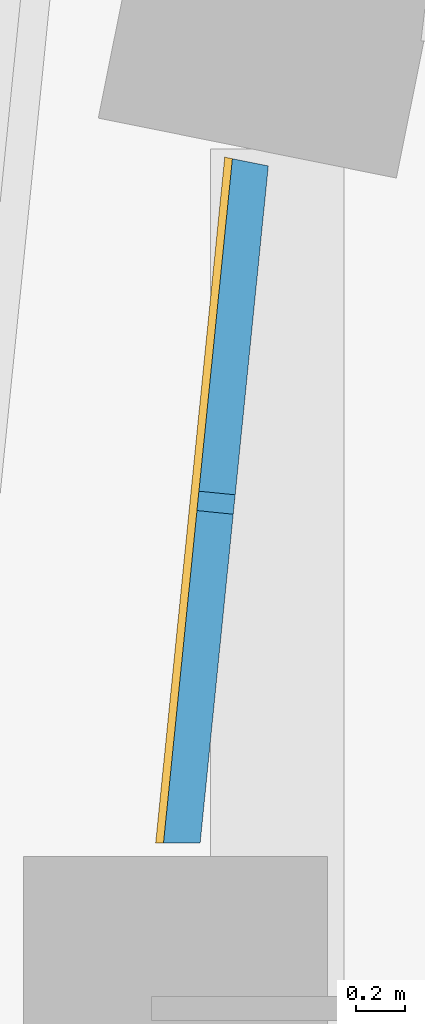
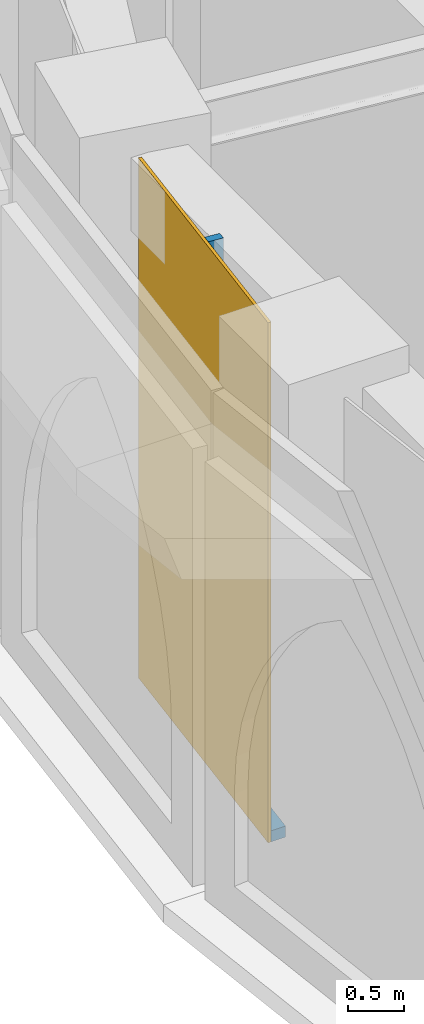
# One storey, part 10 of 23: 2 members, 1 curtain wall.
"""IFC4 building model written with IfcOpenShell, lengths in metres."""

from ifc_helpers import new_model, si_unit, direction, frame, origin, origin_2d, place, context, subcontext, project, spatial, polyline, rectangle, outline, extrude, material, layer, layer_set, material_profile, profile_set, type_object, element, aggregate, save


model = new_model("IFC4")

# Units and contexts
model_context = context("Model", 3, precision=1e-05, world=origin(), true_north=direction((0.0, 1.0)))
body_context = subcontext(model_context, "Body", "Model", "MODEL_VIEW")
ifc_project = project(units=[si_unit("LENGTHUNIT", "METRE"), si_unit("AREAUNIT", "SQUARE_METRE"), si_unit("VOLUMEUNIT", "CUBIC_METRE"), si_unit("PLANEANGLEUNIT", "RADIAN"), si_unit("MASSUNIT", "GRAM", prefix="KILO")], contexts=[model_context])

# Member
ifc_material_1 = material(Name="Aluminium 6063-T6 black anodised", Category="aluminium")
ifc_material_profile = material_profile(ifc_material_1, rectangle(XDim=0.14990234375, YDim=0.080078125, at=origin_2d()), Name="150x80")
ifc_profile_set = profile_set([ifc_material_profile], Name="Aluminium 6063-T6 black anodised")
member_type_1 = type_object("IfcMemberType", Name="ENV-MULLION-B-150", PredefinedType="MULLION", material=ifc_profile_set)
site_placement = place(None, origin())
building_placement = place(site_placement, origin())
storey_placement = place(building_placement, frame((0.0, 0.0, 140.0)))
member_1_placement = place(storey_placement, frame((-34.778564453125, 2.07958984375, 0.1201171875), z_axis=(0.0, 0.0, 1.0), x_axis=(0.994969504864, -0.100178263068, 0.0)))
member_1 = element("IfcMember", 1, at=member_1_placement, type_object=member_type_1, Name="Mullion B chord 23", PredefinedType="MULLION", context=body_context, shape_type="SweptSolid", body=[
    extrude(rectangle(XDim=0.14990234375, YDim=0.080078125, at=origin_2d()), origin(), (0.0, 0.0, 1.0), 5.579833984375),
])

ifc_material_2 = material(Name="Aluminium 6063-T6 black anodised", Category="aluminium")
member_type_2 = type_object("IfcMemberType", Name="ENV-TRANSOM-B", PredefinedType="USERDEFINED", material=ifc_material_2)
member_2_placement = place(storey_placement, origin())
member_2 = element("IfcMember", 2, at=member_2_placement, type_object=member_type_2, Name="Transom B radial 23-24", ObjectType="TRANSOM", PredefinedType="USERDEFINED", context=body_context, shape_type="SweptSolid", body=[
    extrude(outline(polyline([(-34.71142578125, 3.494140625), (-34.99462890625, 0.680908203125), (-34.843994140625, 0.680908203125), (-34.563720703125, 3.464599609375), (-34.71142578125, 3.494140625)])), origin(), (0.0, 0.0, 1.0), 0.1201171875),
])

# Site, building, storey
site = spatial("IfcSite", under=ifc_project, at=site_placement, CompositionType="ELEMENT")
building = spatial("IfcBuilding", under=site, at=building_placement, Name="Noorbagh Ring Tower", CompositionType="ELEMENT")
storey = spatial("IfcBuildingStorey", under=building, at=storey_placement, Name="L32", CompositionType="ELEMENT", Elevation=140.0)

# Curtain wall
ifc_material_3 = material(Name="Glass dark tinted laminated", Category="glass")
ifc_layer = layer(ifc_material_3, 0.031982421875)
ifc_layer_set = layer_set([ifc_layer], Name="Glass dark tinted laminated")
curtain_wall_type = type_object("IfcCurtainWallType", Name="ENV-CW-B", PredefinedType="NOTDEFINED", material=ifc_layer_set)
curtain_wall_placement = place(storey_placement, origin())
curtain_wall = element("IfcCurtainWall", 3, at=curtain_wall_placement, inside=storey, type_object=curtain_wall_type, Name="Curtain wall B R23", PredefinedType="NOTDEFINED", context=body_context, shape_type="SweptSolid", body=[
    extrude(outline(polyline([(-34.742919921875, 3.50048828125), (-35.02685546875, 0.680908203125), (-34.99462890625, 0.680908203125), (-34.71142578125, 3.494140625), (-34.742919921875, 3.50048828125)])), origin(), (0.0, 0.0, 1.0), 5.699951171875),
])

aggregate(curtain_wall, [member_1, member_2])

save(model, "model.ifc")
